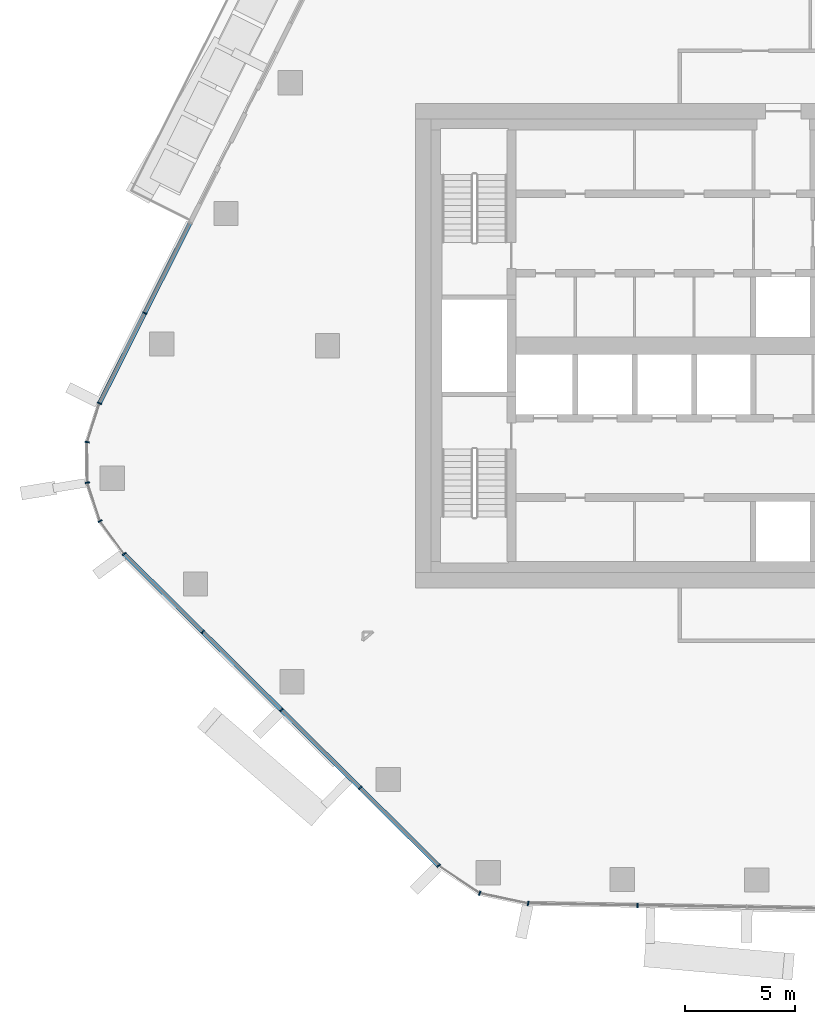
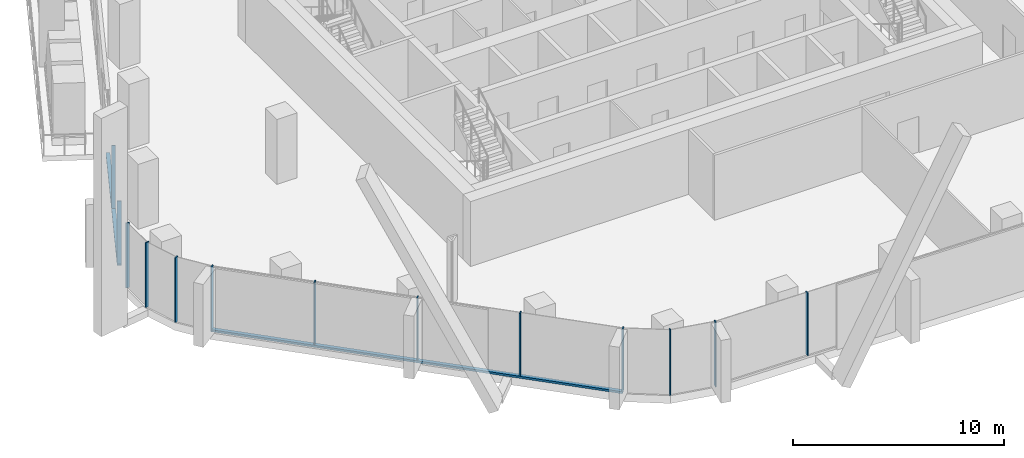
# One storey, part 2 of 20: 15 members, 5 elements without a shape of their own.
"""IFC4 building model written with IfcOpenShell, lengths in metres."""

from ifc_helpers import new_model, si_unit, direction, frame, origin, origin_2d, place, context, subcontext, project, spatial, rectangle, extrude, material, layer, layer_set, material_profile, profile_set, type_object, element, aggregate, save


model = new_model("IFC4")

# Units and contexts
model_context = context("Model", 3, precision=1e-05, world=origin(), true_north=direction((0.0, 1.0)))
body_context = subcontext(model_context, "Body", "Model", "MODEL_VIEW")
ifc_project = project(units=[si_unit("LENGTHUNIT", "METRE"), si_unit("AREAUNIT", "SQUARE_METRE"), si_unit("VOLUMEUNIT", "CUBIC_METRE"), si_unit("PLANEANGLEUNIT", "RADIAN"), si_unit("MASSUNIT", "GRAM", prefix="KILO")], contexts=[model_context])

# Site, building, storey
site_placement = place(None, origin())
site = spatial("IfcSite", under=ifc_project, at=site_placement, CompositionType="ELEMENT")
building_placement = place(site_placement, origin())
building = spatial("IfcBuilding", under=site, at=building_placement, Name="Dongbaek Canopy Tower", CompositionType="ELEMENT")
storey_placement = place(building_placement, frame((0.0, 0.0, 228.60009765625)))
storey = spatial("IfcBuildingStorey", under=building, at=storey_placement, Name="L47", CompositionType="ELEMENT", Elevation=228.60009765625)

# Curtain wall, members
ifc_material_1 = material(Name="Aluminium 6063-T6 pale anodised", Category="aluminium")
ifc_layer = layer(ifc_material_1, 0.199951171875)
ifc_layer_set = layer_set([ifc_layer], Name="CW-1 unitised tower curtain wall")
curtain_wall_type = type_object("IfcCurtainWallType", Name="CW-1 unitised tower curtain wall", PredefinedType="NOTDEFINED", material=ifc_layer_set)
curtain_wall_1_placement = place(storey_placement, origin())
curtain_wall_1 = element("IfcCurtainWall", 1, at=curtain_wall_1_placement, inside=storey, type_object=curtain_wall_type, Name="CW-1 curtain wall F2.1", PredefinedType="NOTDEFINED")
ifc_material_2 = material(Name="Aluminium 6063-T6 pale anodised", Category="aluminium")
ifc_material_profile_1 = material_profile(ifc_material_2, rectangle(XDim=0.199951171875, YDim=0.06005859375, at=origin_2d()), Name="CW-1 mullion 60 x 200")
ifc_profile_set_1 = profile_set([ifc_material_profile_1], Name="Aluminium 6063-T6 pale anodised")
member_type_1 = type_object("IfcMemberType", Name="CW-1 mullion 60 x 200", PredefinedType="MULLION", material=ifc_profile_set_1)
member_1_placement = place(storey_placement, frame((-26.306884765625, 1.48291015625, 0.119873046875), z_axis=(0.0, 0.0, 1.0), x_axis=(-0.893577393042, 0.448909169704, 0.0)))
member_1 = element("IfcMember", 2, at=member_1_placement, type_object=member_type_1, Name="CW-1 mullion F2.1.2", PredefinedType="MULLION", context=body_context, shape_type="SweptSolid", body=[
    extrude(rectangle(XDim=0.199951171875, YDim=0.06005859375, at=origin_2d()), origin(), (0.0, 0.0, 1.0), 3.630126953125),
])
member_2_placement = place(storey_placement, frame((-28.364013671875, -2.6123046875, 0.119873046875), z_axis=(0.0, 0.0, 1.0), x_axis=(-0.893577393042, 0.448909169704, 0.0)))
member_2 = element("IfcMember", 3, at=member_2_placement, type_object=member_type_1, Name="CW-1 mullion F2.1.3", PredefinedType="MULLION", context=body_context, shape_type="SweptSolid", body=[
    extrude(rectangle(XDim=0.199951171875, YDim=0.06005859375, at=origin_2d()), origin(), (0.0, 0.0, 1.0), 3.630126953125),
])

curtain_wall_2_placement = place(storey_placement, origin())
curtain_wall_2 = element("IfcCurtainWall", 4, at=curtain_wall_2_placement, inside=storey, type_object=curtain_wall_type, Name="CW-1 curtain wall K3.1", PredefinedType="NOTDEFINED")
member_3_placement = place(storey_placement, frame((-28.926513671875, -4.376220703125, 0.0), z_axis=(0.0, 0.0, 1.0), x_axis=(-0.988511679619, 0.151144497938, 0.0)))
member_3 = element("IfcMember", 5, at=member_3_placement, type_object=member_type_1, Name="CW-1 mullion K3.1.2", PredefinedType="MULLION", context=body_context, shape_type="SweptSolid", body=[
    extrude(rectangle(XDim=0.199951171875, YDim=0.06005859375, at=origin_2d()), origin(), (0.0, 0.0, 1.0), 3.75),
])
member_4_placement = place(storey_placement, frame((-28.9169921875, -6.2197265625, 0.0), z_axis=(0.0, 0.0, 1.0), x_axis=(-0.986891784514, -0.161383411968, 0.0)))
member_4 = element("IfcMember", 6, at=member_4_placement, type_object=member_type_1, Name="CW-1 mullion K3.1.3", PredefinedType="MULLION", context=body_context, shape_type="SweptSolid", body=[
    extrude(rectangle(XDim=0.199951171875, YDim=0.06005859375, at=origin_2d()), origin(), (0.0, 0.0, 1.0), 3.75),
])
member_5_placement = place(storey_placement, frame((-28.3388671875, -7.97021484375, 0.0), z_axis=(0.0, 0.0, 1.0), x_axis=(-0.888875933118, -0.458147984306, 0.0)))
member_5 = element("IfcMember", 7, at=member_5_placement, type_object=member_type_1, Name="CW-1 mullion K3.1.4", PredefinedType="MULLION", context=body_context, shape_type="SweptSolid", body=[
    extrude(rectangle(XDim=0.199951171875, YDim=0.06005859375, at=origin_2d()), origin(), (0.0, 0.0, 1.0), 3.75),
])
member_6_placement = place(storey_placement, frame((-27.24365234375, -9.46337890625, 0.0), z_axis=(0.0, 0.0, 1.0), x_axis=(-0.806363114239, -0.591420770683, 0.0)))
member_6 = element("IfcMember", 8, at=member_6_placement, type_object=member_type_1, Name="CW-1 mullion K3.1.5", PredefinedType="MULLION", context=body_context, shape_type="SweptSolid", body=[
    extrude(rectangle(XDim=0.199951171875, YDim=0.06005859375, at=origin_2d()), origin(), (0.0, 0.0, 1.0), 3.75),
])
aggregate(curtain_wall_2, [member_3, member_4, member_5, member_6])

curtain_wall_3_placement = place(storey_placement, origin())
curtain_wall_3 = element("IfcCurtainWall", 9, at=curtain_wall_3_placement, inside=storey, type_object=curtain_wall_type, Name="CW-1 curtain wall F3.1", PredefinedType="NOTDEFINED")
member_7_placement = place(storey_placement, frame((-23.6748046875, -13.00146484375, 0.119873046875), z_axis=(0.0, 0.0, 1.0), x_axis=(-0.704037952942, -0.710162348211, 0.0)))
member_7 = element("IfcMember", 10, at=member_7_placement, type_object=member_type_1, Name="CW-1 mullion F3.1.2", PredefinedType="MULLION", context=body_context, shape_type="SweptSolid", body=[
    extrude(rectangle(XDim=0.199951171875, YDim=0.06005859375, at=origin_2d()), origin(), (0.0, 0.0, 1.0), 3.630126953125),
])
member_8_placement = place(storey_placement, frame((-20.10009765625, -16.54541015625, 0.119873046875), z_axis=(0.0, 0.0, 1.0), x_axis=(-0.704037952942, -0.710162348211, 0.0)))
member_8 = element("IfcMember", 11, at=member_8_placement, type_object=member_type_1, Name="CW-1 mullion F3.1.3", PredefinedType="MULLION", context=body_context, shape_type="SweptSolid", body=[
    extrude(rectangle(XDim=0.199951171875, YDim=0.06005859375, at=origin_2d()), origin(), (0.0, 0.0, 1.0), 3.630126953125),
])
member_9_placement = place(storey_placement, frame((-16.525390625, -20.089111328125, 0.119873046875), z_axis=(0.0, 0.0, 1.0), x_axis=(-0.704037952942, -0.710162348211, 0.0)))
member_9 = element("IfcMember", 12, at=member_9_placement, type_object=member_type_1, Name="CW-1 mullion F3.1.4", PredefinedType="MULLION", context=body_context, shape_type="SweptSolid", body=[
    extrude(rectangle(XDim=0.199951171875, YDim=0.06005859375, at=origin_2d()), origin(), (0.0, 0.0, 1.0), 3.630126953125),
])
member_10_placement = place(storey_placement, frame((-12.957763671875, -23.626220703125, 0.119873046875), z_axis=(0.0, 0.0, 1.0), x_axis=(-0.704037952942, -0.710162348211, 0.0)))
member_10 = element("IfcMember", 13, at=member_10_placement, type_object=member_type_1, Name="CW-1 mullion F3.1.5", PredefinedType="MULLION", context=body_context, shape_type="SweptSolid", body=[
    extrude(rectangle(XDim=0.199951171875, YDim=0.06005859375, at=origin_2d()), origin(), (0.0, 0.0, 1.0), 3.630126953125),
])

curtain_wall_4_placement = place(storey_placement, origin())
curtain_wall_4 = element("IfcCurtainWall", 14, at=curtain_wall_4_placement, inside=storey, type_object=curtain_wall_type, Name="CW-1 curtain wall K4.1", PredefinedType="NOTDEFINED")
member_11_placement = place(storey_placement, frame((-11.088623046875, -24.877685546875, 0.0), z_axis=(0.0, 0.0, 1.0), x_axis=(-0.388525428592, -0.921438001896, 0.0)))
member_11 = element("IfcMember", 15, at=member_11_placement, type_object=member_type_1, Name="CW-1 mullion K4.1.2", PredefinedType="MULLION", context=body_context, shape_type="SweptSolid", body=[
    extrude(rectangle(XDim=0.199951171875, YDim=0.06005859375, at=origin_2d()), origin(), (0.0, 0.0, 1.0), 3.75),
])
member_12_placement = place(storey_placement, frame((-8.8876953125, -25.34228515625, 0.0), z_axis=(0.0, 0.0, 1.0), x_axis=(-0.206515518802, -0.978443325131, 0.0)))
member_12 = element("IfcMember", 16, at=member_12_placement, type_object=member_type_1, Name="CW-1 mullion K4.1.3", PredefinedType="MULLION", context=body_context, shape_type="SweptSolid", body=[
    extrude(rectangle(XDim=0.199951171875, YDim=0.06005859375, at=origin_2d()), origin(), (0.0, 0.0, 1.0), 3.75),
])
aggregate(curtain_wall_4, [member_11, member_12])

# Curtain wall, member
curtain_wall_5_placement = place(storey_placement, origin())
curtain_wall_5 = element("IfcCurtainWall", 17, at=curtain_wall_5_placement, inside=storey, type_object=curtain_wall_type, Name="CW-1 curtain wall F4.1", PredefinedType="NOTDEFINED")
member_13_placement = place(storey_placement, frame((-3.923095703125, -25.4267578125, 0.119873046875), z_axis=(0.0, 0.0, 1.0), x_axis=(-0.016993149743, -0.999855606006, 0.0)))
member_13 = element("IfcMember", 18, at=member_13_placement, type_object=member_type_1, Name="CW-1 mullion F4.1.2", PredefinedType="MULLION", context=body_context, shape_type="SweptSolid", body=[
    extrude(rectangle(XDim=0.199951171875, YDim=0.06005859375, at=origin_2d()), origin(), (0.0, 0.0, 1.0), 3.630126953125),
])
aggregate(curtain_wall_5, [member_13])

# Member
ifc_material_3 = material(Name="Aluminium 6063-T6 pale anodised", Category="aluminium")
ifc_material_profile_2 = material_profile(ifc_material_3, rectangle(XDim=0.199951171875, YDim=0.1201171875, at=origin_2d()), Name="CW-1 transom 120 x 200")
ifc_profile_set_2 = profile_set([ifc_material_profile_2], Name="Aluminium 6063-T6 pale anodised")
member_type_2 = type_object("IfcMemberType", Name="CW-1 transom 120 x 200", PredefinedType="USERDEFINED", material=ifc_profile_set_2)
member_14_placement = place(storey_placement, frame((-24.24609375, 5.5849609375, 0.059814453125), z_axis=(-0.448894796272, -0.893584613721, 0.0), x_axis=(0.893584613721, -0.448894796272, 0.0)))
member_14 = element("IfcMember", 19, at=member_14_placement, type_object=member_type_2, Name="CW-1 transom F2.1.1", ObjectType="TRANSOM", PredefinedType="USERDEFINED", context=body_context, shape_type="SweptSolid", body=[
    extrude(rectangle(XDim=0.199951171875, YDim=0.1201171875, at=origin_2d()), origin(), (0.0, 0.0, 1.0), 9.173583984375),
])

aggregate(curtain_wall_1, [member_1, member_2, member_14])

member_15_placement = place(storey_placement, frame((-27.24365234375, -9.46337890625, 0.059814453125), z_axis=(0.710158527416, -0.704041806954, 0.0), x_axis=(0.704041806954, 0.710158527416, 0.0)))
member_15 = element("IfcMember", 20, at=member_15_placement, type_object=member_type_2, Name="CW-1 transom F3.1.1", ObjectType="TRANSOM", PredefinedType="USERDEFINED", context=body_context, shape_type="SweptSolid", body=[
    extrude(rectangle(XDim=0.199951171875, YDim=0.1201171875, at=origin_2d()), origin(), (0.0, 0.0, 1.0), 20.116455078125),
])

aggregate(curtain_wall_3, [member_7, member_8, member_9, member_10, member_15])

save(model, "model.ifc")
